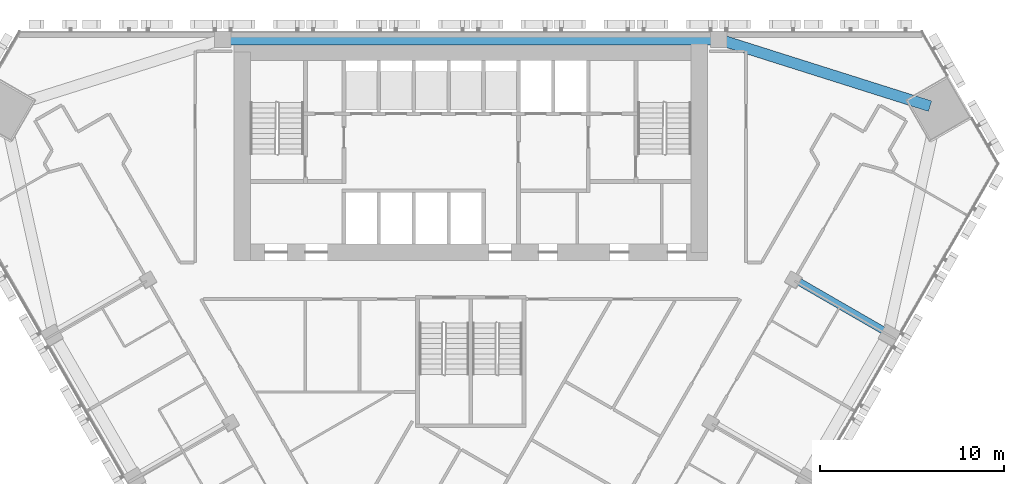
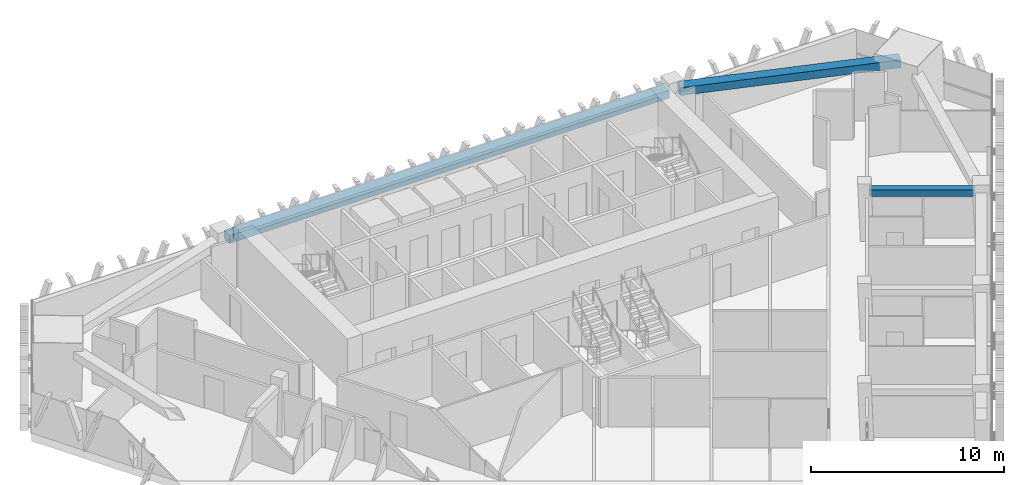
# One storey, part 6 of 16: 3 beams.
"""IFC4 building model written with IfcOpenShell, lengths in metres."""

from ifc_helpers import new_model, si_unit, direction, frame, origin, origin_2d, place, context, subcontext, project, spatial, rectangle, extrude, material, material_profile, profile_set, type_object, element, save


model = new_model("IFC4")

# Units and contexts
model_context = context("Model", 3, precision=1e-05, world=origin(), true_north=direction((0.0, 1.0)))
body_context = subcontext(model_context, "Body", "Model", "MODEL_VIEW")
ifc_project = project(units=[si_unit("LENGTHUNIT", "METRE"), si_unit("AREAUNIT", "SQUARE_METRE"), si_unit("VOLUMEUNIT", "CUBIC_METRE"), si_unit("PLANEANGLEUNIT", "RADIAN"), si_unit("MASSUNIT", "GRAM", prefix="KILO")], contexts=[model_context])

# Site, building, storey
site_placement = place(None, origin())
site = spatial("IfcSite", under=ifc_project, at=site_placement, CompositionType="ELEMENT")
building_placement = place(site_placement, origin())
building = spatial("IfcBuilding", under=site, at=building_placement, Name="Altiplano Prism Tower", CompositionType="ELEMENT")
storey_placement = place(building_placement, frame((0.0, 0.0, 104.39990234375)))
storey = spatial("IfcBuildingStorey", under=building, at=storey_placement, Name="L26", CompositionType="ELEMENT", Elevation=104.39990234375)

# Beams
ifc_material = material(Name="Concrete C60/75", Category="concrete")
ifc_material_profile_1 = material_profile(ifc_material, rectangle(XDim=0.60009765625, YDim=0.5, at=origin_2d()), Name="Edge beam 600x500")
ifc_profile_set_1 = profile_set([ifc_material_profile_1], Name="Concrete C60/75")
beam_type_1 = type_object("IfcBeamType", Name="Edge beam 600x500", PredefinedType="SPANDREL", material=ifc_profile_set_1)
beam_1_placement = place(storey_placement, frame((110.017578125, 100.905517578125, 2.85009765625), z_axis=(-0.953406008739, 0.301690209486, 0.0), x_axis=(-0.301690209486, -0.953406008739, 0.0)))
element("IfcBeam", 1, at=beam_1_placement, inside=storey, type_object=beam_type_1, Name="Edge beam M2-P01 L27", PredefinedType="SPANDREL", context=body_context, shape_type="SweptSolid", body=[
    extrude(rectangle(XDim=0.60009765625, YDim=0.5, at=origin_2d()), origin(), (0.0, 0.0, 1.0), 11.728271484375),
])
beam_2_placement = place(storey_placement, frame((98.169921875, 104.550048828125, 2.85009765625), z_axis=(-1.0, 0.0, 0.0), x_axis=(0.0, -1.0, 0.0)))
element("IfcBeam", 2, at=beam_2_placement, inside=storey, type_object=beam_type_1, Name="Edge beam P01-P04 L27", PredefinedType="SPANDREL", context=body_context, shape_type="SweptSolid", body=[
    extrude(rectangle(XDim=0.60009765625, YDim=0.5, at=origin_2d()), origin(), (0.0, 0.0, 1.0), 26.33984375),
])
ifc_material_profile_2 = material_profile(ifc_material, rectangle(XDim=0.39990234375, YDim=0.39990234375, at=origin_2d()), Name="Tie beam 400x400")
ifc_profile_set_2 = profile_set([ifc_material_profile_2], Name="Concrete C60/75")
beam_type_2 = type_object("IfcBeamType", Name="Tie beam 400x400", PredefinedType="BEAM", material=ifc_profile_set_2)
beam_3_placement = place(storey_placement, frame((102.706787109375, 91.443603515625, 2.900146484375), z_axis=(0.866031549307, -0.499989355492, 0.0), x_axis=(0.499989355492, 0.866031549307, 0.0)))
element("IfcBeam", 3, at=beam_3_placement, inside=storey, type_object=beam_type_2, Name="Tie beam I24 L27", PredefinedType="BEAM", context=body_context, shape_type="SweptSolid", body=[
    extrude(rectangle(XDim=0.39990234375, YDim=0.39990234375, at=origin_2d()), origin(), (0.0, 0.0, 1.0), 5.48974609375),
])

save(model, "model.ifc")
